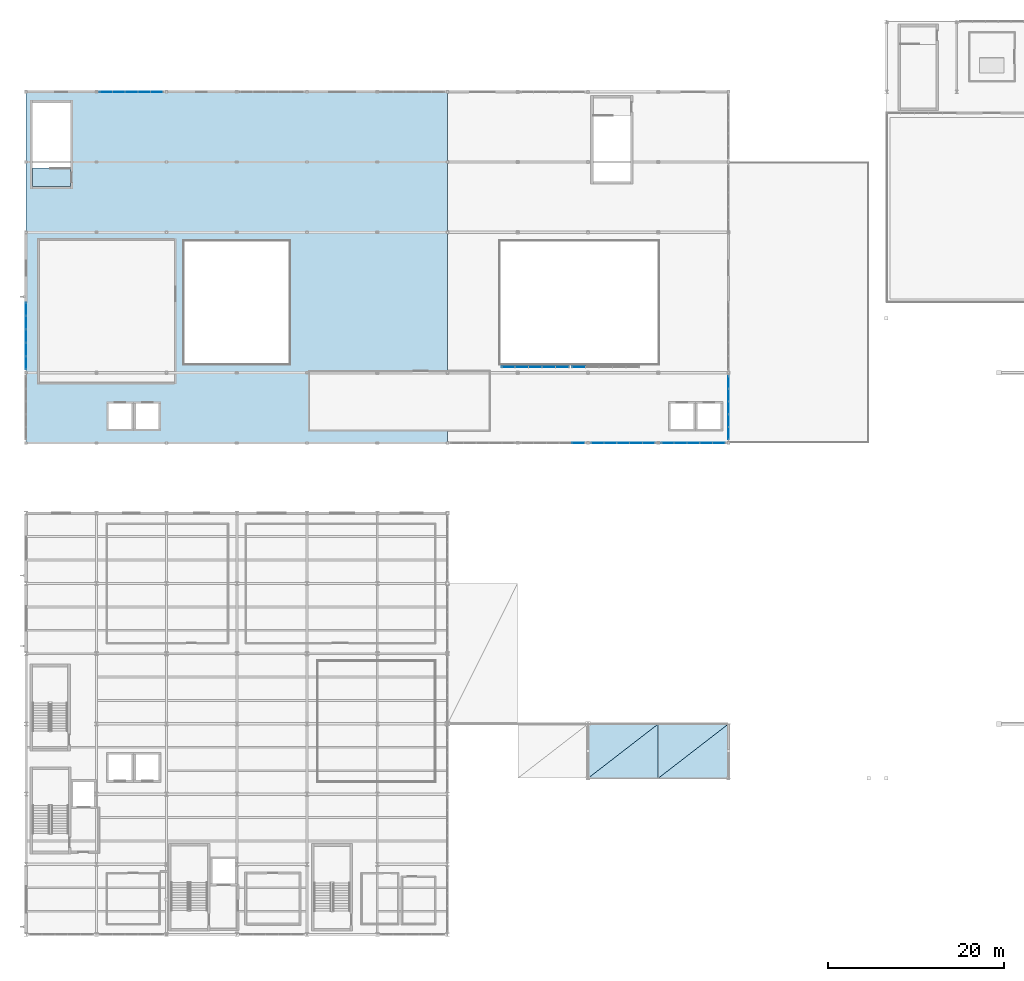
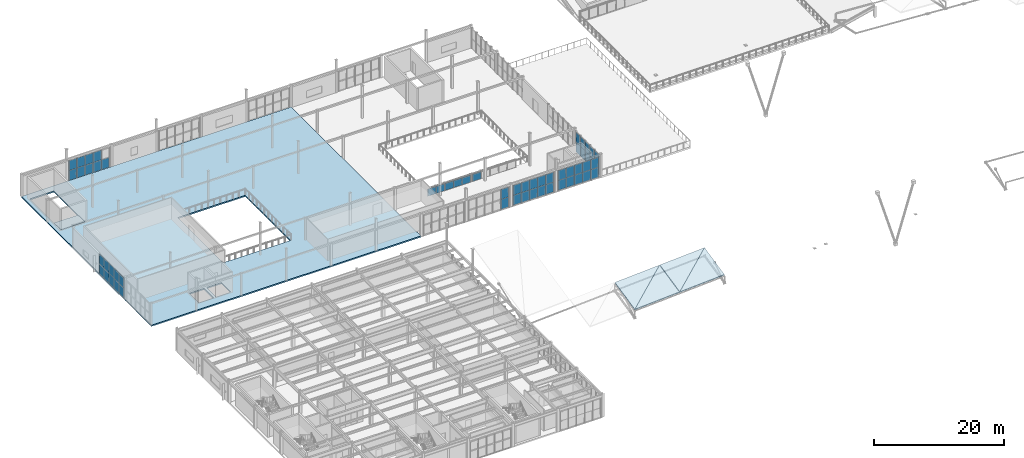
# One storey, part 48 of 83: 57 plates, 6 slabs, 8 elements without a shape of their own.
"""IFC4 building model written with IfcOpenShell, lengths in metres."""

from ifc_helpers import new_model, si_unit, direction, frame, origin, origin_2d, place, context, subcontext, project, spatial, polyline, rectangle, outline, extrude, material, layer, layer_set, type_object, element, aggregate, save


model = new_model("IFC4")

# Units and contexts
model_context = context("Model", 3, precision=1e-05, world=origin(), true_north=direction((0.0, 1.0)))
body_context = subcontext(model_context, "Body", "Model", "MODEL_VIEW")
ifc_project = project(units=[si_unit("LENGTHUNIT", "METRE"), si_unit("AREAUNIT", "SQUARE_METRE"), si_unit("VOLUMEUNIT", "CUBIC_METRE"), si_unit("PLANEANGLEUNIT", "RADIAN"), si_unit("MASSUNIT", "GRAM", prefix="KILO")], contexts=[model_context])

# Site, building, storey
site_placement = place(None, origin())
site = spatial("IfcSite", under=ifc_project, at=site_placement, CompositionType="ELEMENT")
building_placement = place(site_placement, origin())
building = spatial("IfcBuilding", under=site, at=building_placement, Name="Drelvath Fold Interchange", CompositionType="ELEMENT")
storey_placement = place(building_placement, frame((0.0, 0.0, 11.199951171875)))
storey = spatial("IfcBuildingStorey", under=building, at=storey_placement, Name="L02", CompositionType="ELEMENT", Elevation=11.199951171875)

# Curtain wall, plates
ifc_material_1 = material(Name="Anodized Aluminium 6063-T6", Category="aluminium")
curtain_wall_type_1 = type_object("IfcCurtainWallType", Name="CW-ATR-SCR", PredefinedType="USERDEFINED", material=ifc_material_1)
curtain_wall_1_placement = place(storey_placement, origin())
curtain_wall_1 = element("IfcCurtainWall", 1, at=curtain_wall_1_placement, inside=storey, type_object=curtain_wall_type_1, Name="Curtain wall CW-ATR-L02-S58", ObjectType="GLAZED SCREEN WALL", PredefinedType="USERDEFINED")
ifc_material_2 = material(Name="Low-Iron Insulated Laminated Glass", Category="glass")
ifc_layer_1 = layer(ifc_material_2, 0.02001953125, Name="Low-Iron Insulated Laminated Glass")
ifc_layer_set_1 = layer_set([ifc_layer_1], Name="Low-Iron Insulated Laminated Glass")
plate_type_1 = type_object("IfcPlateType", Name="CP-ATR-A", PredefinedType="CURTAIN_PANEL", material=ifc_layer_set_1)
plate_1_placement = place(storey_placement, frame((58.93994140625, 67.64990234375, 0.0400390625), z_axis=(0.0, 0.0, 1.0), x_axis=(1.0, 0.0, 0.0)))
plate_1 = element("IfcPlate", 2, at=plate_1_placement, type_object=plate_type_1, Name="CW-ATR-L02-S58 glazed panel 0-0", PredefinedType="CURTAIN_PANEL", context=body_context, shape_type="SweptSolid", body=[
    extrude(rectangle(XDim=1.47998046875, YDim=0.02001953125, at=origin_2d()), origin(), (0.0, 0.0, 1.0), 1.3701171875),
])
plate_2_placement = place(storey_placement, frame((60.4599609375, 67.64990234375, 0.0400390625), z_axis=(0.0, 0.0, 1.0), x_axis=(1.0, 0.0, 0.0)))
plate_2 = element("IfcPlate", 3, at=plate_2_placement, type_object=plate_type_1, Name="CW-ATR-L02-S58 glazed panel 1-0", PredefinedType="CURTAIN_PANEL", context=body_context, shape_type="SweptSolid", body=[
    extrude(rectangle(XDim=1.52001953125, YDim=0.02001953125, at=origin_2d()), origin(), (0.0, 0.0, 1.0), 1.3701171875),
])
plate_3_placement = place(storey_placement, frame((62.0, 67.64990234375, 0.0400390625), z_axis=(0.0, 0.0, 1.0), x_axis=(1.0, 0.0, 0.0)))
plate_3 = element("IfcPlate", 4, at=plate_3_placement, type_object=plate_type_1, Name="CW-ATR-L02-S58 glazed panel 2-0", PredefinedType="CURTAIN_PANEL", context=body_context, shape_type="SweptSolid", body=[
    extrude(rectangle(XDim=1.52001953125, YDim=0.02001953125, at=origin_2d()), origin(), (0.0, 0.0, 1.0), 1.3701171875),
])
plate_4_placement = place(storey_placement, frame((63.5400390625, 67.64990234375, 0.0400390625), z_axis=(0.0, 0.0, 1.0), x_axis=(1.0, 0.0, 0.0)))
plate_4 = element("IfcPlate", 5, at=plate_4_placement, type_object=plate_type_1, Name="CW-ATR-L02-S58 glazed panel 3-0", PredefinedType="CURTAIN_PANEL", context=body_context, shape_type="SweptSolid", body=[
    extrude(rectangle(XDim=1.52001953125, YDim=0.02001953125, at=origin_2d()), origin(), (0.0, 0.0, 1.0), 1.3701171875),
])
plate_5_placement = place(storey_placement, frame((65.06005859375, 67.64990234375, 0.0400390625), z_axis=(0.0, 0.0, 1.0), x_axis=(1.0, 0.0, 0.0)))
plate_5 = element("IfcPlate", 6, at=plate_5_placement, type_object=plate_type_1, Name="CW-ATR-L02-S58 glazed panel 4-0", PredefinedType="CURTAIN_PANEL", context=body_context, shape_type="SweptSolid", body=[
    extrude(rectangle(XDim=1.47998046875, YDim=0.02001953125, at=origin_2d()), origin(), (0.0, 0.0, 1.0), 1.3701171875),
])
aggregate(curtain_wall_1, [plate_1, plate_2, plate_3, plate_4, plate_5])

# Curtain wall, plate
curtain_wall_2_placement = place(storey_placement, origin())
curtain_wall_2 = element("IfcCurtainWall", 7, at=curtain_wall_2_placement, inside=storey, type_object=curtain_wall_type_1, Name="Curtain wall CW-ATR-L02-S66", ObjectType="GLAZED SCREEN WALL", PredefinedType="USERDEFINED")
plate_6_placement = place(storey_placement, frame((66.93994140625, 67.64990234375, 0.0400390625), z_axis=(0.0, 0.0, 1.0), x_axis=(1.0, 0.0, 0.0)))
plate_6 = element("IfcPlate", 8, at=plate_6_placement, type_object=plate_type_1, Name="CW-ATR-L02-S66 glazed panel 0-0", PredefinedType="CURTAIN_PANEL", context=body_context, shape_type="SweptSolid", body=[
    extrude(rectangle(XDim=1.47998046875, YDim=0.02001953125, at=origin_2d()), origin(), (0.0, 0.0, 1.0), 1.3701171875),
])
aggregate(curtain_wall_2, [plate_6])

# Curtain wall, plates
curtain_wall_type_2 = type_object("IfcCurtainWallType", Name="CW-CON-440", PredefinedType="USERDEFINED", material=ifc_material_1)
curtain_wall_3_placement = place(storey_placement, origin())
curtain_wall_3 = element("IfcCurtainWall", 9, at=curtain_wall_3_placement, inside=storey, type_object=curtain_wall_type_2, Name="Curtain wall CW-V1-L02-N12", ObjectType="UNITISED CURTAIN WALL", PredefinedType="USERDEFINED")
ifc_layer_2 = layer(ifc_material_2, 0.05810546875, Name="Low-Iron Insulated Laminated Glass")
ifc_layer_set_2 = layer_set([ifc_layer_2], Name="Low-Iron Insulated Laminated Glass")
plate_type_2 = type_object("IfcPlateType", Name="CP-CON-B", PredefinedType="CURTAIN_PANEL", material=ifc_layer_set_2)
plate_7_placement = place(storey_placement, frame((13.10791015625, 99.0, 0.0400390625), z_axis=(0.0, 0.0, 1.0), x_axis=(1.0, 0.0, 0.0)))
plate_7 = element("IfcPlate", 10, at=plate_7_placement, type_object=plate_type_2, Name="CW-V1-L02-N12 glazed panel 0-0", PredefinedType="CURTAIN_PANEL", context=body_context, shape_type="SweptSolid", body=[
    extrude(rectangle(XDim=1.39599609375, YDim=0.05810546875, at=origin_2d()), origin(), (0.0, 0.0, 1.0), 1.85009765625),
])
plate_8_placement = place(storey_placement, frame((13.10791015625, 99.0, 1.909912109375), z_axis=(0.0, 0.0, 1.0), x_axis=(1.0, 0.0, 0.0)))
plate_8 = element("IfcPlate", 11, at=plate_8_placement, type_object=plate_type_2, Name="CW-V1-L02-N12 glazed panel 0-1", PredefinedType="CURTAIN_PANEL", context=body_context, shape_type="SweptSolid", body=[
    extrude(rectangle(XDim=1.39599609375, YDim=0.05810546875, at=origin_2d()), origin(), (0.0, 0.0, 1.0), 1.85009765625),
])
plate_9_placement = place(storey_placement, frame((14.5439453125, 99.0, 0.0400390625), z_axis=(0.0, 0.0, 1.0), x_axis=(1.0, 0.0, 0.0)))
plate_9 = element("IfcPlate", 12, at=plate_9_placement, type_object=plate_type_2, Name="CW-V1-L02-N12 glazed panel 1-0", PredefinedType="CURTAIN_PANEL", context=body_context, shape_type="SweptSolid", body=[
    extrude(rectangle(XDim=1.43603515625, YDim=0.05810546875, at=origin_2d()), origin(), (0.0, 0.0, 1.0), 1.85009765625),
])
plate_10_placement = place(storey_placement, frame((14.5439453125, 99.0, 1.909912109375), z_axis=(0.0, 0.0, 1.0), x_axis=(1.0, 0.0, 0.0)))
plate_10 = element("IfcPlate", 13, at=plate_10_placement, type_object=plate_type_2, Name="CW-V1-L02-N12 glazed panel 1-1", PredefinedType="CURTAIN_PANEL", context=body_context, shape_type="SweptSolid", body=[
    extrude(rectangle(XDim=1.43603515625, YDim=0.05810546875, at=origin_2d()), origin(), (0.0, 0.0, 1.0), 1.85009765625),
])
plate_11_placement = place(storey_placement, frame((16.0, 99.0, 0.0400390625), z_axis=(0.0, 0.0, 1.0), x_axis=(1.0, 0.0, 0.0)))
plate_11 = element("IfcPlate", 14, at=plate_11_placement, type_object=plate_type_2, Name="CW-V1-L02-N12 glazed panel 2-0", PredefinedType="CURTAIN_PANEL", context=body_context, shape_type="SweptSolid", body=[
    extrude(rectangle(XDim=1.43603515625, YDim=0.05810546875, at=origin_2d()), origin(), (0.0, 0.0, 1.0), 1.85009765625),
])
plate_12_placement = place(storey_placement, frame((16.0, 99.0, 1.909912109375), z_axis=(0.0, 0.0, 1.0), x_axis=(1.0, 0.0, 0.0)))
plate_12 = element("IfcPlate", 15, at=plate_12_placement, type_object=plate_type_2, Name="CW-V1-L02-N12 glazed panel 2-1", PredefinedType="CURTAIN_PANEL", context=body_context, shape_type="SweptSolid", body=[
    extrude(rectangle(XDim=1.43603515625, YDim=0.05810546875, at=origin_2d()), origin(), (0.0, 0.0, 1.0), 1.85009765625),
])
plate_13_placement = place(storey_placement, frame((17.4560546875, 99.0, 0.0400390625), z_axis=(0.0, 0.0, 1.0), x_axis=(1.0, 0.0, 0.0)))
plate_13 = element("IfcPlate", 16, at=plate_13_placement, type_object=plate_type_2, Name="CW-V1-L02-N12 glazed panel 3-0", PredefinedType="CURTAIN_PANEL", context=body_context, shape_type="SweptSolid", body=[
    extrude(rectangle(XDim=1.43603515625, YDim=0.05810546875, at=origin_2d()), origin(), (0.0, 0.0, 1.0), 1.85009765625),
])
plate_14_placement = place(storey_placement, frame((17.4560546875, 99.0, 1.909912109375), z_axis=(0.0, 0.0, 1.0), x_axis=(1.0, 0.0, 0.0)))
plate_14 = element("IfcPlate", 17, at=plate_14_placement, type_object=plate_type_2, Name="CW-V1-L02-N12 glazed panel 3-1", PredefinedType="CURTAIN_PANEL", context=body_context, shape_type="SweptSolid", body=[
    extrude(rectangle(XDim=1.43603515625, YDim=0.05810546875, at=origin_2d()), origin(), (0.0, 0.0, 1.0), 1.85009765625),
])
plate_15_placement = place(storey_placement, frame((18.89208984375, 99.0, 0.0400390625), z_axis=(0.0, 0.0, 1.0), x_axis=(1.0, 0.0, 0.0)))
plate_15 = element("IfcPlate", 18, at=plate_15_placement, type_object=plate_type_2, Name="CW-V1-L02-N12 glazed panel 4-0", PredefinedType="CURTAIN_PANEL", context=body_context, shape_type="SweptSolid", body=[
    extrude(rectangle(XDim=1.39599609375, YDim=0.05810546875, at=origin_2d()), origin(), (0.0, 0.0, 1.0), 1.85009765625),
])
aggregate(curtain_wall_3, [plate_7, plate_8, plate_9, plate_10, plate_11, plate_12, plate_13, plate_14, plate_15])

curtain_wall_type_3 = type_object("IfcCurtainWallType", Name="CW-CON-520", PredefinedType="USERDEFINED", material=ifc_material_1)
curtain_wall_4_placement = place(storey_placement, origin())
curtain_wall_4 = element("IfcCurtainWall", 19, at=curtain_wall_4_placement, inside=storey, type_object=curtain_wall_type_3, Name="Curtain wall CW-V1-L02-W67", ObjectType="UNITISED CURTAIN WALL", PredefinedType="USERDEFINED")
plate_16_placement = place(storey_placement, frame((4.0, 68.14404296875, 0.0400390625), z_axis=(0.0, 0.0, 1.0), x_axis=(0.0, 1.0, 0.0)))
plate_16 = element("IfcPlate", 20, at=plate_16_placement, type_object=plate_type_2, Name="CW-V1-L02-W67 glazed panel 0-0", PredefinedType="CURTAIN_PANEL", context=body_context, shape_type="SweptSolid", body=[
    extrude(rectangle(XDim=1.468017578125, YDim=0.05810546875, at=origin_2d()), origin(), (0.0, 0.0, 1.0), 1.85009765625),
])
plate_17_placement = place(storey_placement, frame((4.0, 68.14404296875, 1.909912109375), z_axis=(0.0, 0.0, 1.0), x_axis=(0.0, 1.0, 0.0)))
plate_17 = element("IfcPlate", 21, at=plate_17_placement, type_object=plate_type_2, Name="CW-V1-L02-W67 glazed panel 0-1", PredefinedType="CURTAIN_PANEL", context=body_context, shape_type="SweptSolid", body=[
    extrude(rectangle(XDim=1.468017578125, YDim=0.05810546875, at=origin_2d()), origin(), (0.0, 0.0, 1.0), 1.85009765625),
])
plate_18_placement = place(storey_placement, frame((4.0, 69.652099609375, 0.0400390625), z_axis=(0.0, 0.0, 1.0), x_axis=(0.0, 1.0, 0.0)))
plate_18 = element("IfcPlate", 22, at=plate_18_placement, type_object=plate_type_2, Name="CW-V1-L02-W67 glazed panel 1-0", PredefinedType="CURTAIN_PANEL", context=body_context, shape_type="SweptSolid", body=[
    extrude(rectangle(XDim=1.508056640625, YDim=0.05810546875, at=origin_2d()), origin(), (0.0, 0.0, 1.0), 1.85009765625),
])
plate_19_placement = place(storey_placement, frame((4.0, 69.652099609375, 1.909912109375), z_axis=(0.0, 0.0, 1.0), x_axis=(0.0, 1.0, 0.0)))
plate_19 = element("IfcPlate", 23, at=plate_19_placement, type_object=plate_type_2, Name="CW-V1-L02-W67 glazed panel 1-1", PredefinedType="CURTAIN_PANEL", context=body_context, shape_type="SweptSolid", body=[
    extrude(rectangle(XDim=1.508056640625, YDim=0.05810546875, at=origin_2d()), origin(), (0.0, 0.0, 1.0), 1.85009765625),
])
plate_20_placement = place(storey_placement, frame((4.0, 71.179931640625, 0.0400390625), z_axis=(0.0, 0.0, 1.0), x_axis=(0.0, 1.0, 0.0)))
plate_20 = element("IfcPlate", 24, at=plate_20_placement, type_object=plate_type_2, Name="CW-V1-L02-W67 glazed panel 2-0", PredefinedType="CURTAIN_PANEL", context=body_context, shape_type="SweptSolid", body=[
    extrude(rectangle(XDim=1.508056640625, YDim=0.05810546875, at=origin_2d()), origin(), (0.0, 0.0, 1.0), 1.85009765625),
])
plate_21_placement = place(storey_placement, frame((4.0, 71.179931640625, 1.909912109375), z_axis=(0.0, 0.0, 1.0), x_axis=(0.0, 1.0, 0.0)))
plate_21 = element("IfcPlate", 25, at=plate_21_placement, type_object=plate_type_2, Name="CW-V1-L02-W67 glazed panel 2-1", PredefinedType="CURTAIN_PANEL", context=body_context, shape_type="SweptSolid", body=[
    extrude(rectangle(XDim=1.508056640625, YDim=0.05810546875, at=origin_2d()), origin(), (0.0, 0.0, 1.0), 1.85009765625),
])
plate_22_placement = place(storey_placement, frame((4.0, 72.7080078125, 0.0400390625), z_axis=(0.0, 0.0, 1.0), x_axis=(0.0, 1.0, 0.0)))
plate_22 = element("IfcPlate", 26, at=plate_22_placement, type_object=plate_type_2, Name="CW-V1-L02-W67 glazed panel 3-0", PredefinedType="CURTAIN_PANEL", context=body_context, shape_type="SweptSolid", body=[
    extrude(rectangle(XDim=1.508056640625, YDim=0.05810546875, at=origin_2d()), origin(), (0.0, 0.0, 1.0), 1.85009765625),
])
plate_23_placement = place(storey_placement, frame((4.0, 72.7080078125, 1.909912109375), z_axis=(0.0, 0.0, 1.0), x_axis=(0.0, 1.0, 0.0)))
plate_23 = element("IfcPlate", 27, at=plate_23_placement, type_object=plate_type_2, Name="CW-V1-L02-W67 glazed panel 3-1", PredefinedType="CURTAIN_PANEL", context=body_context, shape_type="SweptSolid", body=[
    extrude(rectangle(XDim=1.508056640625, YDim=0.05810546875, at=origin_2d()), origin(), (0.0, 0.0, 1.0), 1.85009765625),
])
plate_24_placement = place(storey_placement, frame((4.0, 74.216064453125, 0.0400390625), z_axis=(0.0, 0.0, 1.0), x_axis=(0.0, 1.0, 0.0)))
plate_24 = element("IfcPlate", 28, at=plate_24_placement, type_object=plate_type_2, Name="CW-V1-L02-W67 glazed panel 4-0", PredefinedType="CURTAIN_PANEL", context=body_context, shape_type="SweptSolid", body=[
    extrude(rectangle(XDim=1.468017578125, YDim=0.05810546875, at=origin_2d()), origin(), (0.0, 0.0, 1.0), 1.85009765625),
])
plate_25_placement = place(storey_placement, frame((4.0, 74.216064453125, 1.909912109375), z_axis=(0.0, 0.0, 1.0), x_axis=(0.0, 1.0, 0.0)))
plate_25 = element("IfcPlate", 29, at=plate_25_placement, type_object=plate_type_2, Name="CW-V1-L02-W67 glazed panel 4-1", PredefinedType="CURTAIN_PANEL", context=body_context, shape_type="SweptSolid", body=[
    extrude(rectangle(XDim=1.468017578125, YDim=0.05810546875, at=origin_2d()), origin(), (0.0, 0.0, 1.0), 1.85009765625),
])
aggregate(curtain_wall_4, [plate_16, plate_17, plate_18, plate_19, plate_20, plate_21, plate_22, plate_23, plate_24, plate_25])

curtain_wall_5_placement = place(storey_placement, origin())
curtain_wall_5 = element("IfcCurtainWall", 30, at=curtain_wall_5_placement, inside=storey, type_object=curtain_wall_type_2, Name="Curtain wall CW-V1E-L02-Y59", ObjectType="UNITISED CURTAIN WALL", PredefinedType="USERDEFINED")
plate_26_placement = place(storey_placement, frame((84.0, 60.10791015625, 0.0400390625), z_axis=(0.0, 0.0, 1.0), x_axis=(0.0, 1.0, 0.0)))
plate_26 = element("IfcPlate", 31, at=plate_26_placement, type_object=plate_type_2, Name="CW-V1E-L02-Y59 glazed panel 0-0", PredefinedType="CURTAIN_PANEL", context=body_context, shape_type="SweptSolid", body=[
    extrude(rectangle(XDim=1.39599609375, YDim=0.05810546875, at=origin_2d()), origin(), (0.0, 0.0, 1.0), 1.85009765625),
])
plate_27_placement = place(storey_placement, frame((84.0, 60.10791015625, 1.909912109375), z_axis=(0.0, 0.0, 1.0), x_axis=(0.0, 1.0, 0.0)))
plate_27 = element("IfcPlate", 32, at=plate_27_placement, type_object=plate_type_2, Name="CW-V1E-L02-Y59 glazed panel 0-1", PredefinedType="CURTAIN_PANEL", context=body_context, shape_type="SweptSolid", body=[
    extrude(rectangle(XDim=1.39599609375, YDim=0.05810546875, at=origin_2d()), origin(), (0.0, 0.0, 1.0), 1.85009765625),
])
plate_28_placement = place(storey_placement, frame((84.0, 61.5439453125, 0.0400390625), z_axis=(0.0, 0.0, 1.0), x_axis=(0.0, 1.0, 0.0)))
plate_28 = element("IfcPlate", 33, at=plate_28_placement, type_object=plate_type_2, Name="CW-V1E-L02-Y59 glazed panel 1-0", PredefinedType="CURTAIN_PANEL", context=body_context, shape_type="SweptSolid", body=[
    extrude(rectangle(XDim=1.43603515625, YDim=0.05810546875, at=origin_2d()), origin(), (0.0, 0.0, 1.0), 1.85009765625),
])
plate_29_placement = place(storey_placement, frame((84.0, 61.5439453125, 1.909912109375), z_axis=(0.0, 0.0, 1.0), x_axis=(0.0, 1.0, 0.0)))
plate_29 = element("IfcPlate", 34, at=plate_29_placement, type_object=plate_type_2, Name="CW-V1E-L02-Y59 glazed panel 1-1", PredefinedType="CURTAIN_PANEL", context=body_context, shape_type="SweptSolid", body=[
    extrude(rectangle(XDim=1.43603515625, YDim=0.05810546875, at=origin_2d()), origin(), (0.0, 0.0, 1.0), 1.85009765625),
])
plate_30_placement = place(storey_placement, frame((84.0, 63.0, 0.0400390625), z_axis=(0.0, 0.0, 1.0), x_axis=(0.0, 1.0, 0.0)))
plate_30 = element("IfcPlate", 35, at=plate_30_placement, type_object=plate_type_2, Name="CW-V1E-L02-Y59 glazed panel 2-0", PredefinedType="CURTAIN_PANEL", context=body_context, shape_type="SweptSolid", body=[
    extrude(rectangle(XDim=1.43603515625, YDim=0.05810546875, at=origin_2d()), origin(), (0.0, 0.0, 1.0), 1.85009765625),
])
plate_31_placement = place(storey_placement, frame((84.0, 63.0, 1.909912109375), z_axis=(0.0, 0.0, 1.0), x_axis=(0.0, 1.0, 0.0)))
plate_31 = element("IfcPlate", 36, at=plate_31_placement, type_object=plate_type_2, Name="CW-V1E-L02-Y59 glazed panel 2-1", PredefinedType="CURTAIN_PANEL", context=body_context, shape_type="SweptSolid", body=[
    extrude(rectangle(XDim=1.43603515625, YDim=0.05810546875, at=origin_2d()), origin(), (0.0, 0.0, 1.0), 1.85009765625),
])
plate_32_placement = place(storey_placement, frame((84.0, 64.4560546875, 0.0400390625), z_axis=(0.0, 0.0, 1.0), x_axis=(0.0, 1.0, 0.0)))
plate_32 = element("IfcPlate", 37, at=plate_32_placement, type_object=plate_type_2, Name="CW-V1E-L02-Y59 glazed panel 3-0", PredefinedType="CURTAIN_PANEL", context=body_context, shape_type="SweptSolid", body=[
    extrude(rectangle(XDim=1.43603515625, YDim=0.05810546875, at=origin_2d()), origin(), (0.0, 0.0, 1.0), 1.85009765625),
])
plate_33_placement = place(storey_placement, frame((84.0, 64.4560546875, 1.909912109375), z_axis=(0.0, 0.0, 1.0), x_axis=(0.0, 1.0, 0.0)))
plate_33 = element("IfcPlate", 38, at=plate_33_placement, type_object=plate_type_2, Name="CW-V1E-L02-Y59 glazed panel 3-1", PredefinedType="CURTAIN_PANEL", context=body_context, shape_type="SweptSolid", body=[
    extrude(rectangle(XDim=1.43603515625, YDim=0.05810546875, at=origin_2d()), origin(), (0.0, 0.0, 1.0), 1.85009765625),
])
plate_34_placement = place(storey_placement, frame((84.0, 65.89208984375, 0.0400390625), z_axis=(0.0, 0.0, 1.0), x_axis=(0.0, 1.0, 0.0)))
plate_34 = element("IfcPlate", 39, at=plate_34_placement, type_object=plate_type_2, Name="CW-V1E-L02-Y59 glazed panel 4-0", PredefinedType="CURTAIN_PANEL", context=body_context, shape_type="SweptSolid", body=[
    extrude(rectangle(XDim=1.39599609375, YDim=0.05810546875, at=origin_2d()), origin(), (0.0, 0.0, 1.0), 1.85009765625),
])
plate_35_placement = place(storey_placement, frame((84.0, 65.89208984375, 1.909912109375), z_axis=(0.0, 0.0, 1.0), x_axis=(0.0, 1.0, 0.0)))
plate_35 = element("IfcPlate", 40, at=plate_35_placement, type_object=plate_type_2, Name="CW-V1E-L02-Y59 glazed panel 4-1", PredefinedType="CURTAIN_PANEL", context=body_context, shape_type="SweptSolid", body=[
    extrude(rectangle(XDim=1.39599609375, YDim=0.05810546875, at=origin_2d()), origin(), (0.0, 0.0, 1.0), 1.85009765625),
])
aggregate(curtain_wall_5, [plate_26, plate_27, plate_28, plate_29, plate_30, plate_31, plate_32, plate_33, plate_34, plate_35])

curtain_wall_6_placement = place(storey_placement, origin())
curtain_wall_6 = element("IfcCurtainWall", 41, at=curtain_wall_6_placement, inside=storey, type_object=curtain_wall_type_2, Name="Curtain wall CW-V1S-L02-X60", ObjectType="UNITISED CURTAIN WALL", PredefinedType="USERDEFINED")
plate_36_placement = place(storey_placement, frame((66.89208984375, 59.0, 0.0400390625), z_axis=(0.0, 0.0, 1.0), x_axis=(1.0, 0.0, 0.0)))
plate_36 = element("IfcPlate", 42, at=plate_36_placement, type_object=plate_type_2, Name="CW-V1S-L02-X60 glazed panel 4-0", PredefinedType="CURTAIN_PANEL", context=body_context, shape_type="SweptSolid", body=[
    extrude(rectangle(XDim=1.39599609375, YDim=0.05810546875, at=origin_2d()), origin(), (0.0, 0.0, 1.0), 1.85009765625),
])
plate_37_placement = place(storey_placement, frame((66.89208984375, 59.0, 1.909912109375), z_axis=(0.0, 0.0, 1.0), x_axis=(1.0, 0.0, 0.0)))
plate_37 = element("IfcPlate", 43, at=plate_37_placement, type_object=plate_type_2, Name="CW-V1S-L02-X60 glazed panel 4-1", PredefinedType="CURTAIN_PANEL", context=body_context, shape_type="SweptSolid", body=[
    extrude(rectangle(XDim=1.39599609375, YDim=0.05810546875, at=origin_2d()), origin(), (0.0, 0.0, 1.0), 1.85009765625),
])
aggregate(curtain_wall_6, [plate_36, plate_37])

curtain_wall_7_placement = place(storey_placement, origin())
curtain_wall_7 = element("IfcCurtainWall", 44, at=curtain_wall_7_placement, inside=storey, type_object=curtain_wall_type_2, Name="Curtain wall CW-V1S-L02-X68", ObjectType="UNITISED CURTAIN WALL", PredefinedType="USERDEFINED")
plate_38_placement = place(storey_placement, frame((69.10791015625, 59.0, 0.0400390625), z_axis=(0.0, 0.0, 1.0), x_axis=(1.0, 0.0, 0.0)))
plate_38 = element("IfcPlate", 45, at=plate_38_placement, type_object=plate_type_2, Name="CW-V1S-L02-X68 glazed panel 0-0", PredefinedType="CURTAIN_PANEL", context=body_context, shape_type="SweptSolid", body=[
    extrude(rectangle(XDim=1.39599609375, YDim=0.05810546875, at=origin_2d()), origin(), (0.0, 0.0, 1.0), 1.85009765625),
])
plate_39_placement = place(storey_placement, frame((69.10791015625, 59.0, 1.909912109375), z_axis=(0.0, 0.0, 1.0), x_axis=(1.0, 0.0, 0.0)))
plate_39 = element("IfcPlate", 46, at=plate_39_placement, type_object=plate_type_2, Name="CW-V1S-L02-X68 glazed panel 0-1", PredefinedType="CURTAIN_PANEL", context=body_context, shape_type="SweptSolid", body=[
    extrude(rectangle(XDim=1.39599609375, YDim=0.05810546875, at=origin_2d()), origin(), (0.0, 0.0, 1.0), 1.85009765625),
])
plate_40_placement = place(storey_placement, frame((70.5439453125, 59.0, 0.0400390625), z_axis=(0.0, 0.0, 1.0), x_axis=(1.0, 0.0, 0.0)))
plate_40 = element("IfcPlate", 47, at=plate_40_placement, type_object=plate_type_2, Name="CW-V1S-L02-X68 glazed panel 1-0", PredefinedType="CURTAIN_PANEL", context=body_context, shape_type="SweptSolid", body=[
    extrude(rectangle(XDim=1.43603515625, YDim=0.05810546875, at=origin_2d()), origin(), (0.0, 0.0, 1.0), 1.85009765625),
])
plate_41_placement = place(storey_placement, frame((70.5439453125, 59.0, 1.909912109375), z_axis=(0.0, 0.0, 1.0), x_axis=(1.0, 0.0, 0.0)))
plate_41 = element("IfcPlate", 48, at=plate_41_placement, type_object=plate_type_2, Name="CW-V1S-L02-X68 glazed panel 1-1", PredefinedType="CURTAIN_PANEL", context=body_context, shape_type="SweptSolid", body=[
    extrude(rectangle(XDim=1.43603515625, YDim=0.05810546875, at=origin_2d()), origin(), (0.0, 0.0, 1.0), 1.85009765625),
])
plate_42_placement = place(storey_placement, frame((72.0, 59.0, 0.0400390625), z_axis=(0.0, 0.0, 1.0), x_axis=(1.0, 0.0, 0.0)))
plate_42 = element("IfcPlate", 49, at=plate_42_placement, type_object=plate_type_2, Name="CW-V1S-L02-X68 glazed panel 2-0", PredefinedType="CURTAIN_PANEL", context=body_context, shape_type="SweptSolid", body=[
    extrude(rectangle(XDim=1.43603515625, YDim=0.05810546875, at=origin_2d()), origin(), (0.0, 0.0, 1.0), 1.85009765625),
])
plate_43_placement = place(storey_placement, frame((72.0, 59.0, 1.909912109375), z_axis=(0.0, 0.0, 1.0), x_axis=(1.0, 0.0, 0.0)))
plate_43 = element("IfcPlate", 50, at=plate_43_placement, type_object=plate_type_2, Name="CW-V1S-L02-X68 glazed panel 2-1", PredefinedType="CURTAIN_PANEL", context=body_context, shape_type="SweptSolid", body=[
    extrude(rectangle(XDim=1.43603515625, YDim=0.05810546875, at=origin_2d()), origin(), (0.0, 0.0, 1.0), 1.85009765625),
])
plate_44_placement = place(storey_placement, frame((73.4560546875, 59.0, 0.0400390625), z_axis=(0.0, 0.0, 1.0), x_axis=(1.0, 0.0, 0.0)))
plate_44 = element("IfcPlate", 51, at=plate_44_placement, type_object=plate_type_2, Name="CW-V1S-L02-X68 glazed panel 3-0", PredefinedType="CURTAIN_PANEL", context=body_context, shape_type="SweptSolid", body=[
    extrude(rectangle(XDim=1.43603515625, YDim=0.05810546875, at=origin_2d()), origin(), (0.0, 0.0, 1.0), 1.85009765625),
])
plate_45_placement = place(storey_placement, frame((73.4560546875, 59.0, 1.909912109375), z_axis=(0.0, 0.0, 1.0), x_axis=(1.0, 0.0, 0.0)))
plate_45 = element("IfcPlate", 52, at=plate_45_placement, type_object=plate_type_2, Name="CW-V1S-L02-X68 glazed panel 3-1", PredefinedType="CURTAIN_PANEL", context=body_context, shape_type="SweptSolid", body=[
    extrude(rectangle(XDim=1.43603515625, YDim=0.05810546875, at=origin_2d()), origin(), (0.0, 0.0, 1.0), 1.85009765625),
])
plate_46_placement = place(storey_placement, frame((74.89208984375, 59.0, 0.0400390625), z_axis=(0.0, 0.0, 1.0), x_axis=(1.0, 0.0, 0.0)))
plate_46 = element("IfcPlate", 53, at=plate_46_placement, type_object=plate_type_2, Name="CW-V1S-L02-X68 glazed panel 4-0", PredefinedType="CURTAIN_PANEL", context=body_context, shape_type="SweptSolid", body=[
    extrude(rectangle(XDim=1.39599609375, YDim=0.05810546875, at=origin_2d()), origin(), (0.0, 0.0, 1.0), 1.85009765625),
])
plate_47_placement = place(storey_placement, frame((74.89208984375, 59.0, 1.909912109375), z_axis=(0.0, 0.0, 1.0), x_axis=(1.0, 0.0, 0.0)))
plate_47 = element("IfcPlate", 54, at=plate_47_placement, type_object=plate_type_2, Name="CW-V1S-L02-X68 glazed panel 4-1", PredefinedType="CURTAIN_PANEL", context=body_context, shape_type="SweptSolid", body=[
    extrude(rectangle(XDim=1.39599609375, YDim=0.05810546875, at=origin_2d()), origin(), (0.0, 0.0, 1.0), 1.85009765625),
])
aggregate(curtain_wall_7, [plate_38, plate_39, plate_40, plate_41, plate_42, plate_43, plate_44, plate_45, plate_46, plate_47])

curtain_wall_8_placement = place(storey_placement, origin())
curtain_wall_8 = element("IfcCurtainWall", 55, at=curtain_wall_8_placement, inside=storey, type_object=curtain_wall_type_2, Name="Curtain wall CW-V1S-L02-X76", ObjectType="UNITISED CURTAIN WALL", PredefinedType="USERDEFINED")
plate_48_placement = place(storey_placement, frame((77.10791015625, 59.0, 0.0400390625), z_axis=(0.0, 0.0, 1.0), x_axis=(1.0, 0.0, 0.0)))
plate_48 = element("IfcPlate", 56, at=plate_48_placement, type_object=plate_type_2, Name="CW-V1S-L02-X76 glazed panel 0-0", PredefinedType="CURTAIN_PANEL", context=body_context, shape_type="SweptSolid", body=[
    extrude(rectangle(XDim=1.39599609375, YDim=0.05810546875, at=origin_2d()), origin(), (0.0, 0.0, 1.0), 1.85009765625),
])
plate_49_placement = place(storey_placement, frame((77.10791015625, 59.0, 1.909912109375), z_axis=(0.0, 0.0, 1.0), x_axis=(1.0, 0.0, 0.0)))
plate_49 = element("IfcPlate", 57, at=plate_49_placement, type_object=plate_type_2, Name="CW-V1S-L02-X76 glazed panel 0-1", PredefinedType="CURTAIN_PANEL", context=body_context, shape_type="SweptSolid", body=[
    extrude(rectangle(XDim=1.39599609375, YDim=0.05810546875, at=origin_2d()), origin(), (0.0, 0.0, 1.0), 1.85009765625),
])
plate_50_placement = place(storey_placement, frame((78.5439453125, 59.0, 0.0400390625), z_axis=(0.0, 0.0, 1.0), x_axis=(1.0, 0.0, 0.0)))
plate_50 = element("IfcPlate", 58, at=plate_50_placement, type_object=plate_type_2, Name="CW-V1S-L02-X76 glazed panel 1-0", PredefinedType="CURTAIN_PANEL", context=body_context, shape_type="SweptSolid", body=[
    extrude(rectangle(XDim=1.43603515625, YDim=0.05810546875, at=origin_2d()), origin(), (0.0, 0.0, 1.0), 1.85009765625),
])
plate_51_placement = place(storey_placement, frame((78.5439453125, 59.0, 1.909912109375), z_axis=(0.0, 0.0, 1.0), x_axis=(1.0, 0.0, 0.0)))
plate_51 = element("IfcPlate", 59, at=plate_51_placement, type_object=plate_type_2, Name="CW-V1S-L02-X76 glazed panel 1-1", PredefinedType="CURTAIN_PANEL", context=body_context, shape_type="SweptSolid", body=[
    extrude(rectangle(XDim=1.43603515625, YDim=0.05810546875, at=origin_2d()), origin(), (0.0, 0.0, 1.0), 1.85009765625),
])
plate_52_placement = place(storey_placement, frame((80.0, 59.0, 0.0400390625), z_axis=(0.0, 0.0, 1.0), x_axis=(1.0, 0.0, 0.0)))
plate_52 = element("IfcPlate", 60, at=plate_52_placement, type_object=plate_type_2, Name="CW-V1S-L02-X76 glazed panel 2-0", PredefinedType="CURTAIN_PANEL", context=body_context, shape_type="SweptSolid", body=[
    extrude(rectangle(XDim=1.43603515625, YDim=0.05810546875, at=origin_2d()), origin(), (0.0, 0.0, 1.0), 1.85009765625),
])
plate_53_placement = place(storey_placement, frame((80.0, 59.0, 1.909912109375), z_axis=(0.0, 0.0, 1.0), x_axis=(1.0, 0.0, 0.0)))
plate_53 = element("IfcPlate", 61, at=plate_53_placement, type_object=plate_type_2, Name="CW-V1S-L02-X76 glazed panel 2-1", PredefinedType="CURTAIN_PANEL", context=body_context, shape_type="SweptSolid", body=[
    extrude(rectangle(XDim=1.43603515625, YDim=0.05810546875, at=origin_2d()), origin(), (0.0, 0.0, 1.0), 1.85009765625),
])
plate_54_placement = place(storey_placement, frame((81.4560546875, 59.0, 0.0400390625), z_axis=(0.0, 0.0, 1.0), x_axis=(1.0, 0.0, 0.0)))
plate_54 = element("IfcPlate", 62, at=plate_54_placement, type_object=plate_type_2, Name="CW-V1S-L02-X76 glazed panel 3-0", PredefinedType="CURTAIN_PANEL", context=body_context, shape_type="SweptSolid", body=[
    extrude(rectangle(XDim=1.43603515625, YDim=0.05810546875, at=origin_2d()), origin(), (0.0, 0.0, 1.0), 1.85009765625),
])
plate_55_placement = place(storey_placement, frame((81.4560546875, 59.0, 1.909912109375), z_axis=(0.0, 0.0, 1.0), x_axis=(1.0, 0.0, 0.0)))
plate_55 = element("IfcPlate", 63, at=plate_55_placement, type_object=plate_type_2, Name="CW-V1S-L02-X76 glazed panel 3-1", PredefinedType="CURTAIN_PANEL", context=body_context, shape_type="SweptSolid", body=[
    extrude(rectangle(XDim=1.43603515625, YDim=0.05810546875, at=origin_2d()), origin(), (0.0, 0.0, 1.0), 1.85009765625),
])
plate_56_placement = place(storey_placement, frame((82.89208984375, 59.0, 0.0400390625), z_axis=(0.0, 0.0, 1.0), x_axis=(1.0, 0.0, 0.0)))
plate_56 = element("IfcPlate", 64, at=plate_56_placement, type_object=plate_type_2, Name="CW-V1S-L02-X76 glazed panel 4-0", PredefinedType="CURTAIN_PANEL", context=body_context, shape_type="SweptSolid", body=[
    extrude(rectangle(XDim=1.39599609375, YDim=0.05810546875, at=origin_2d()), origin(), (0.0, 0.0, 1.0), 1.85009765625),
])
plate_57_placement = place(storey_placement, frame((82.89208984375, 59.0, 1.909912109375), z_axis=(0.0, 0.0, 1.0), x_axis=(1.0, 0.0, 0.0)))
plate_57 = element("IfcPlate", 65, at=plate_57_placement, type_object=plate_type_2, Name="CW-V1S-L02-X76 glazed panel 4-1", PredefinedType="CURTAIN_PANEL", context=body_context, shape_type="SweptSolid", body=[
    extrude(rectangle(XDim=1.39599609375, YDim=0.05810546875, at=origin_2d()), origin(), (0.0, 0.0, 1.0), 1.85009765625),
])
aggregate(curtain_wall_8, [plate_48, plate_49, plate_50, plate_51, plate_52, plate_53, plate_54, plate_55, plate_56, plate_57])

# Slabs
ifc_material_3 = material(Name="Concrete f'c 35 MPa (5000 psi)", Category="concrete")
ifc_layer_3 = layer(ifc_material_3, 0.25, Name="Concrete f'c 35 MPa (5000 psi)")
ifc_layer_set_3 = layer_set([ifc_layer_3], Name="Concrete f'c 35 MPa (5000 psi)")
slab_type_1 = type_object("IfcSlabType", Name="FS-UP2", PredefinedType="FLOOR", material=ifc_layer_set_3)
slab_1_placement = place(storey_placement, frame((0.0, 0.0, -0.25)))
element("IfcSlab", 66, at=slab_1_placement, inside=storey, type_object=slab_type_1, Name="L02 structural slab SL-L02-V1W", PredefinedType="FLOOR", context=body_context, shape_type="SweptSolid", body=[
    extrude(outline(polyline([(4.0, 59.0), (52.0, 59.0), (52.0, 99.0), (4.0, 99.0), (4.0, 59.0)]), holes=[polyline([(22.0, 68.0), (22.0, 82.0), (34.0, 82.0), (34.0, 68.0), (22.0, 68.0)]), polyline([(4.75, 88.199951171875), (4.75, 97.75), (9.030029296875, 97.75), (9.030029296875, 88.199951171875), (4.75, 88.199951171875)]), polyline([(13.39990234375, 60.60009765625), (13.39990234375, 63.5), (16.0, 63.5), (16.0, 60.60009765625), (13.39990234375, 60.60009765625)]), polyline([(16.5, 60.60009765625), (16.5, 63.5), (19.10009765625, 63.5), (19.10009765625, 60.60009765625), (16.5, 60.60009765625)])]), origin(), (0.0, 0.0, 1.0), 0.25),
])
slab_2_placement = place(storey_placement, frame((0.0, 0.0, -0.25)))
element("IfcSlab", 67, at=slab_2_placement, inside=storey, type_object=slab_type_1, Name="ST-05 L02 stair floor landing slab", PredefinedType="FLOOR", context=body_context, shape_type="SweptSolid", body=[
    extrude(outline(polyline([(4.75, 88.199951171875), (9.030029296875, 88.199951171875), (9.030029296875, 90.300048828125), (4.75, 90.300048828125), (4.75, 88.199951171875)])), origin(), (0.0, 0.0, 1.0), 0.25),
])
ifc_layer_4 = layer(ifc_material_3, 0.169921875, Name="Concrete f'c 35 MPa (5000 psi)")
ifc_layer_set_4 = layer_set([ifc_layer_4], Name="Concrete f'c 35 MPa (5000 psi)")
slab_type_2 = type_object("IfcSlabType", Name="RF-SF1", PredefinedType="ROOF", material=ifc_layer_set_4)
slab_3_placement = place(storey_placement, frame((68.030029296875, 20.830078125, 3.72900390625), z_axis=(-0.058601572976, -0.212724675863, 0.975353304154), x_axis=(0.99819992436, 0.0, 0.059974252881)))
element("IfcSlab", 68, at=slab_3_placement, inside=storey, type_object=slab_type_2, Name="Space frame canopy sloped roof facet 15", PredefinedType="ROOF", context=body_context, shape_type="SweptSolid", body=[
    extrude(outline(polyline([(0.0, 0.0), (7.954259675329594, -1.3877787807814457e-17), (8.034571876758482, 6.283713071928795), (0.0, 0.0)])), origin(), (0.0, 0.0, -1.0), 0.169921875),
])
slab_4_placement = place(storey_placement, frame((68.030029296875, 20.830078125, 3.72900390625), z_axis=(-0.058723059207, -0.212575060567, 0.975378616714), x_axis=(0.778427890576, 0.60195200234, 0.178055626284)))
element("IfcSlab", 69, at=slab_4_placement, inside=storey, type_object=slab_type_2, Name="Space frame canopy sloped roof facet 16", PredefinedType="ROOF", context=body_context, shape_type="SweptSolid", body=[
    extrude(outline(polyline([(0.0, 0.0), (10.199970353541579, 2.7755575615628914e-17), (3.9341830553014074, 4.900111142542382), (0.0, 0.0)])), origin(), (0.0, 0.0, -1.0), 0.169921875),
])
slab_5_placement = place(storey_placement, frame((76.030029296875, 20.830078125, 4.2099609375), z_axis=(-0.058601572976, -0.212724675863, 0.975353304154), x_axis=(0.99819992436, 0.0, 0.059974252881)))
element("IfcSlab", 70, at=slab_5_placement, inside=storey, type_object=slab_type_2, Name="Space frame canopy sloped roof facet 23", PredefinedType="ROOF", context=body_context, shape_type="SweptSolid", body=[
    extrude(outline(polyline([(0.0, 0.0), (7.954259675329594, -1.3877787807814457e-17), (8.034571876758482, 6.283713071928795), (0.0, 0.0)])), origin(), (0.0, 0.0, -1.0), 0.169921875),
])
slab_6_placement = place(storey_placement, frame((76.030029296875, 20.830078125, 4.2099609375), z_axis=(-0.058601572976, -0.212724675863, 0.975353304154), x_axis=(0.778427890576, 0.60195200234, 0.178055626284)))
element("IfcSlab", 71, at=slab_6_placement, inside=storey, type_object=slab_type_2, Name="Space frame canopy sloped roof facet 24", PredefinedType="ROOF", context=body_context, shape_type="SweptSolid", body=[
    extrude(outline(polyline([(0.0, 0.0), (10.199970353541579, -8.881784197001252e-16), (3.93435693774895, 4.900238311185883), (0.0, 0.0)])), origin(), (0.0, 0.0, -1.0), 0.169921875),
])

save(model, "model.ifc")
